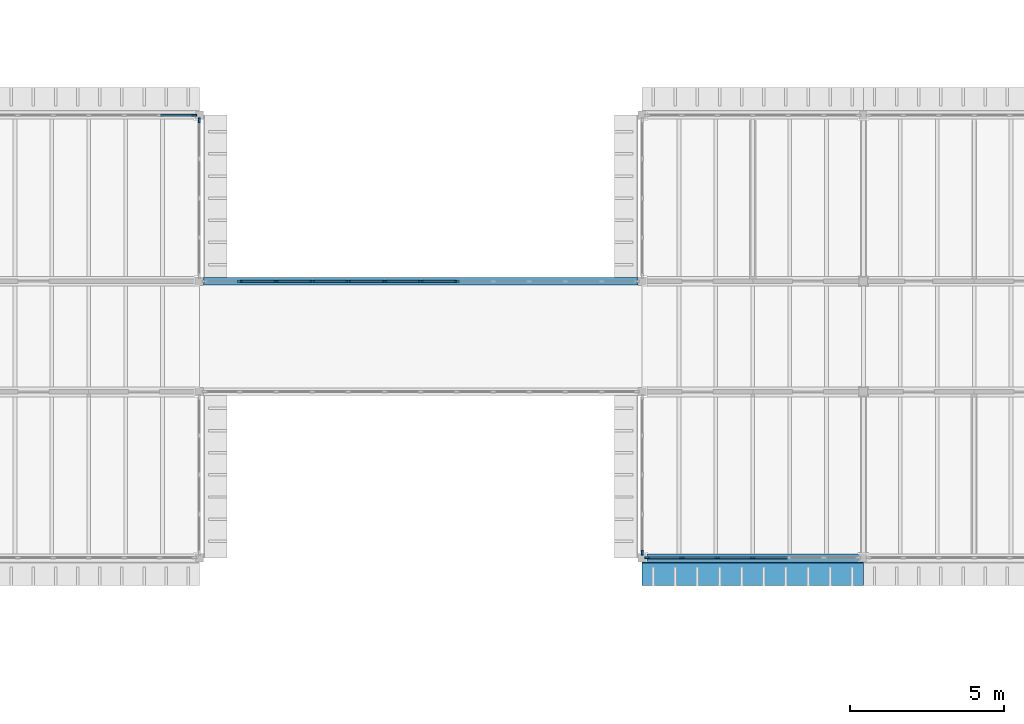
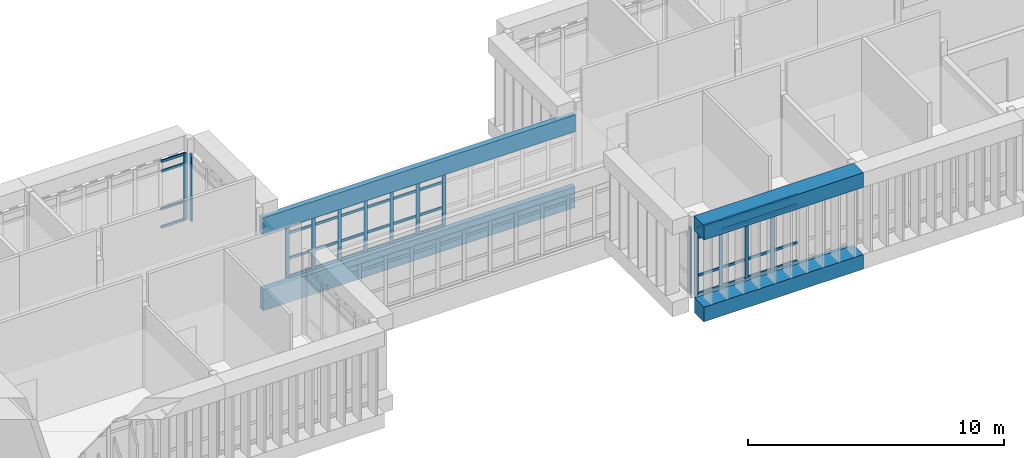
# One storey, part 10 of 51: 60 members, 3 beams, 5 elements without a shape of their own.
"""IFC4 building model written with IfcOpenShell, lengths in metres."""

import ifcopenshell
import ifcopenshell.guid

model = None  # the IFC model being written
_history = None  # IfcOwnerHistory: only IFC2X3 demands one
_inside = {}  # id of a spatial element -> (the spatial element, [elements in it])
_under = {}  # id of a project, library or spatial element -> (it, [spatial elements below it])
_declared = {}  # id of a project -> (the project, [libraries it declares])
_typed = {}  # id of a type object -> (the type object, [elements of that type])
_made_of = {}  # id of a material, layer set ... -> (it, [elements and type objects made of it])


def new_model(schema):
    """Start an empty IFC model of exactly this schema.

    Asked for "IFC4X3", IfcOpenShell would pick the latest addendum, in which some entities
    have other attributes; the version numbers below select the first issue.
    IFC2X3 requires an IfcOwnerHistory on every rooted entity: one is made here for all.
    """
    global model, _history
    if schema == "IFC4X3":
        model = ifcopenshell.file(schema_version=(4, 3, 0, 0))
    else:
        model = ifcopenshell.file(schema=schema)
    _inside.clear()
    _under.clear()
    _declared.clear()
    _typed.clear()
    _made_of.clear()
    _history = None
    if model.schema == "IFC2X3":
        org = make("IfcOrganization", Name="unknown")
        user = make(
            "IfcPersonAndOrganization",
            ThePerson=make("IfcPerson", FamilyName="unknown"),
            TheOrganization=org,
        )
        app = make(
            "IfcApplication",
            ApplicationDeveloper=org,
            Version="unknown",
            ApplicationFullName="unknown",
            ApplicationIdentifier="unknown",
        )
        _history = make(
            "IfcOwnerHistory",
            OwningUser=user,
            OwningApplication=app,
            ChangeAction="ADDED",
            CreationDate=0,
        )
    return model


def make(cls, **values):
    """One entity of the class cls with the attributes given. An attribute that is None is left unset."""
    return model.create_entity(
        cls, **{name: value for name, value in values.items() if value is not None}
    )


def rooted(cls, **values):
    """An entity with a GlobalId (a new one), such as an element, a storey or a relation."""
    return make(cls, GlobalId=ifcopenshell.guid.new(), OwnerHistory=_history, **values)


def si_unit(unit_type, name, prefix=None):
    """IfcSIUnit, for example si_unit("LENGTHUNIT", "METRE", prefix="MILLI")."""
    return make("IfcSIUnit", UnitType=unit_type, Prefix=prefix, Name=name)


def assignment(units):
    """IfcUnitAssignment: the units of a project."""
    return None if units is None else make("IfcUnitAssignment", Units=units)


def point(xyz):
    """IfcCartesianPoint."""
    return None if xyz is None else make("IfcCartesianPoint", Coordinates=xyz)


def direction(xyz):
    """IfcDirection."""
    return None if xyz is None else make("IfcDirection", DirectionRatios=xyz)


def frame(location, z_axis=None, x_axis=None):
    """IfcAxis2Placement3D, a coordinate frame: its origin and axes. An axis left out is left unset."""
    return make(
        "IfcAxis2Placement3D",
        Location=point(location),
        Axis=direction(z_axis),
        RefDirection=direction(x_axis),
    )


def frame_2d(location, x_axis=None):
    """IfcAxis2Placement2D, a coordinate frame in the plane: its origin and x axis."""
    return make(
        "IfcAxis2Placement2D", Location=point(location), RefDirection=direction(x_axis)
    )


def origin():
    """The frame at (0, 0, 0) with its axes left unset."""
    return frame((0.0, 0.0, 0.0))


def origin_2d():
    """The frame at (0, 0) in the plane with its x axis left unset."""
    return frame_2d((0.0, 0.0))


def place(relative_to, where):
    """IfcLocalPlacement: puts the frame where relative to a parent placement (None: the world)."""
    return make(
        "IfcLocalPlacement", PlacementRelTo=relative_to, RelativePlacement=where
    )


def context(
    kind, dimensions, precision=None, world=None, true_north=None, identifier=None
):
    """IfcGeometricRepresentationContext, for example the 3D "Model" context."""
    return make(
        "IfcGeometricRepresentationContext",
        ContextIdentifier=identifier,
        ContextType=kind,
        CoordinateSpaceDimension=dimensions,
        Precision=precision,
        WorldCoordinateSystem=world,
        TrueNorth=true_north,
    )


def subcontext(parent, identifier, kind, view, scale=None):
    """IfcGeometricRepresentationSubContext, for example "Body" below "Model"."""
    return make(
        "IfcGeometricRepresentationSubContext",
        ContextIdentifier=identifier,
        ContextType=kind,
        ParentContext=parent,
        TargetScale=scale,
        TargetView=view,
    )


def project(units=None, contexts=None):
    """IfcProject with its units and contexts."""
    return rooted(
        "IfcProject",
        Name="project",
        RepresentationContexts=contexts,
        UnitsInContext=assignment(units),
    )


def spatial(cls, under=None, at=None, **own):
    """A site, building, storey or space (cls), placed at a placement, below another one or the project."""
    s = rooted(cls, ObjectPlacement=at, **own)
    if under is not None:
        _under.setdefault(under.id(), (under, []))[1].append(s)
    return s


def profile(cls, at=None, kind="AREA", **sizes):
    """A parametric profile (cls). Its sizes go by their IFC names, for example OverallWidth=200.0."""
    return make(cls, ProfileType=kind, Position=at, **sizes)


def rectangle(**sizes):
    """IfcRectangleProfileDef."""
    return profile("IfcRectangleProfileDef", **sizes)


def extrude(swept, where, along, depth):
    """IfcExtrudedAreaSolid: the profile swept, set in the frame where, extruded along a direction by depth."""
    return make(
        "IfcExtrudedAreaSolid",
        SweptArea=swept,
        Position=where,
        ExtrudedDirection=direction(along),
        Depth=depth,
    )


def shape(context_of_items, identifier, shape_type, items):
    """IfcShapeRepresentation: the items that make up one representation, for example the "Body"."""
    return make(
        "IfcShapeRepresentation",
        ContextOfItems=context_of_items,
        RepresentationIdentifier=identifier,
        RepresentationType=shape_type,
        Items=items,
    )


def material(Name=None, Category=None):
    """IfcMaterial."""
    return make("IfcMaterial", Name=Name, Category=Category)


def layer(
    of_material, thickness, ventilated=None, Name=None, Category=None, Priority=None
):
    """IfcMaterialLayer: one layer of a wall or slab, of a material (None: an air gap)."""
    return make(
        "IfcMaterialLayer",
        Material=of_material,
        LayerThickness=thickness,
        IsVentilated=ventilated,
        Name=Name,
        Category=Category,
        Priority=Priority,
    )


def layer_set(layers, Name=None):
    """IfcMaterialLayerSet."""
    return make("IfcMaterialLayerSet", MaterialLayers=layers, LayerSetName=Name)


def material_profile(
    of_material, cross_section, Name=None, Category=None, Priority=None
):
    """IfcMaterialProfile: a cross section and its material."""
    return make(
        "IfcMaterialProfile",
        Name=Name,
        Material=of_material,
        Profile=cross_section,
        Priority=Priority,
        Category=Category,
    )


def profile_set(profiles, Name=None, composite=None):
    """IfcMaterialProfileSet."""
    return make(
        "IfcMaterialProfileSet",
        Name=Name,
        MaterialProfiles=profiles,
        CompositeProfile=composite,
    )


def made_of(thing, what):
    """Note that an element or type object is made of a material, layer set ...; save() writes the relation."""
    if what is not None:
        _made_of.setdefault(what.id(), (what, []))[1].append(thing)
    return thing


def type_object(cls, material=None, **own):
    """A type object (cls), such as IfcWallType, which elements share."""
    return made_of(rooted(cls, **own), material)


def element(
    cls,
    number,
    at=None,
    inside=None,
    cuts=None,
    type_object=None,
    material=None,
    context=None,
    identifier="Body",
    shape_type=None,
    held_by="IfcProductDefinitionShape",
    body=None,
    shapes=None,
    **own,
):
    """One element of the class cls, such as IfcWall. Its Tag is "e" and its number.

    at: its placement. inside: the storey or other place that contains it. cuts: it is an
    opening in that element (IfcRelVoidsElement). A single representation is given by context,
    identifier, shape_type and body (its items); several are given by shapes. held_by: the class
    of the entity that holds the representations. save() writes the other relations.
    """
    e = rooted(cls, Tag="e%d" % number, ObjectPlacement=at, **own)
    if body is not None:
        shapes = [shape(context, identifier, shape_type, body)]
    if shapes is not None:
        e.Representation = make(held_by, Representations=shapes)
    if inside is not None:
        _inside.setdefault(inside.id(), (inside, []))[1].append(e)
    if cuts is not None:
        rooted(
            "IfcRelVoidsElement", RelatingBuildingElement=cuts, RelatedOpeningElement=e
        )
    if type_object is not None:
        _typed.setdefault(type_object.id(), (type_object, []))[1].append(e)
    return made_of(e, material)


def aggregate(whole, parts):
    """IfcRelAggregates: a whole, such as a stair, and the parts it consists of."""
    return rooted("IfcRelAggregates", RelatingObject=whole, RelatedObjects=parts)


def save(model, path):
    """Write the relations noted so far, then the file.

    IfcRelAggregates (storeys below a building ...), IfcRelContainedInSpatialStructure (elements
    in a storey), IfcRelDefinesByType, IfcRelAssociatesMaterial and IfcRelDeclares: one each for
    every whole, place, type object, material and project.
    """
    for whole, parts in _under.values():
        aggregate(whole, parts)
    for where, things in _inside.values():
        rooted(
            "IfcRelContainedInSpatialStructure",
            RelatedElements=things,
            RelatingStructure=where,
        )
    for kind, things in _typed.values():
        rooted("IfcRelDefinesByType", RelatedObjects=things, RelatingType=kind)
    for what, things in _made_of.values():
        rooted("IfcRelAssociatesMaterial", RelatedObjects=things, RelatingMaterial=what)
    for by, libraries in _declared.values():
        rooted("IfcRelDeclares", RelatingContext=by, RelatedDefinitions=libraries)
    model.write(path)


model = new_model("IFC4")

# Units and contexts
model_context = context("Model", 3, precision=1e-05, world=origin(), true_north=direction((0.0, 1.0)))
body_context = subcontext(model_context, "Body", "Model", "MODEL_VIEW")
ifc_project = project(units=[si_unit("LENGTHUNIT", "METRE"), si_unit("AREAUNIT", "SQUARE_METRE"), si_unit("VOLUMEUNIT", "CUBIC_METRE"), si_unit("PLANEANGLEUNIT", "RADIAN"), si_unit("MASSUNIT", "GRAM", prefix="KILO")], contexts=[model_context])

# Site, building, storey
site_placement = place(None, origin())
site = spatial("IfcSite", under=ifc_project, at=site_placement, CompositionType="ELEMENT")
building_placement = place(site_placement, origin())
building = spatial("IfcBuilding", under=site, at=building_placement, Name="Mazhai Court Health Centre", CompositionType="ELEMENT")
storey_placement = place(building_placement, frame((0.0, 0.0, 14.10009765625)))
storey = spatial("IfcBuildingStorey", under=building, at=storey_placement, Name="L03", CompositionType="ELEMENT", Elevation=14.10009765625)

# Curtain wall, members
ifc_material_1 = material(Name="Teak timber frame, glazed", Category="wood")
ifc_layer = layer(ifc_material_1, 0.10009765625)
ifc_layer_set = layer_set([ifc_layer], Name="CURTAIN WALL TIMBER 1200")
curtain_wall_type = type_object("IfcCurtainWallType", Name="CURTAIN WALL TIMBER 1200", PredefinedType="NOTDEFINED", material=ifc_layer_set)
curtain_wall_1_placement = place(storey_placement, origin())
curtain_wall_1 = element("IfcCurtainWall", 1, at=curtain_wall_1_placement, inside=storey, type_object=curtain_wall_type, Name="CW-V4-L03-A5", PredefinedType="NOTDEFINED")
ifc_material_2 = material(Name="Teak timber", Category="wood")
ifc_material_profile_1 = material_profile(ifc_material_2, rectangle(XDim=0.06005859375, YDim=0.159912109375, at=origin_2d()), Name="CW MULLION 60x160")
ifc_profile_set_1 = profile_set([ifc_material_profile_1], Name="Teak timber")
member_type_1 = type_object("IfcMemberType", Name="CW MULLION 60x160", PredefinedType="MULLION", material=ifc_profile_set_1)
member_1_placement = place(storey_placement, frame((110.60009765625, 13.39990234375, 0.0), z_axis=(0.0, 0.0, 1.0), x_axis=(0.0, -1.0, 0.0)))
member_1 = element("IfcMember", 2, at=member_1_placement, type_object=member_type_1, Name="CW mullion 4", PredefinedType="MULLION", context=body_context, shape_type="SweptSolid", body=[
    extrude(rectangle(XDim=0.06005859375, YDim=0.159912109375, at=origin_2d()), origin(), (0.0, 0.0, 1.0), 3.199951171875),
])
member_2_placement = place(storey_placement, frame((109.44677734375, 13.39990234375, 0.0), z_axis=(0.0, 0.0, 1.0), x_axis=(0.0, -1.0, 0.0)))
member_2 = element("IfcMember", 3, at=member_2_placement, type_object=member_type_1, Name="CW mullion 5", PredefinedType="MULLION", context=body_context, shape_type="SweptSolid", body=[
    extrude(rectangle(XDim=0.06005859375, YDim=0.159912109375, at=origin_2d()), origin(), (0.0, 0.0, 1.0), 3.199951171875),
])
member_3_placement = place(storey_placement, frame((108.293212890625, 13.39990234375, 0.0), z_axis=(0.0, 0.0, 1.0), x_axis=(0.0, -1.0, 0.0)))
member_3 = element("IfcMember", 4, at=member_3_placement, type_object=member_type_1, Name="CW mullion 6", PredefinedType="MULLION", context=body_context, shape_type="SweptSolid", body=[
    extrude(rectangle(XDim=0.06005859375, YDim=0.159912109375, at=origin_2d()), origin(), (0.0, 0.0, 1.0), 3.199951171875),
])
member_4_placement = place(storey_placement, frame((107.169921875, 13.39990234375, 0.0), z_axis=(0.0, 0.0, 1.0), x_axis=(0.0, -1.0, 0.0)))
member_4 = element("IfcMember", 5, at=member_4_placement, type_object=member_type_1, Name="CW mullion 7", PredefinedType="MULLION", context=body_context, shape_type="SweptSolid", body=[
    extrude(rectangle(XDim=0.06005859375, YDim=0.159912109375, at=origin_2d()), origin(), (0.0, 0.0, 1.0), 3.199951171875),
])

# Curtain wall, member
curtain_wall_2_placement = place(storey_placement, origin())
curtain_wall_2 = element("IfcCurtainWall", 6, at=curtain_wall_2_placement, inside=storey, type_object=curtain_wall_type, Name="CW-V4-L03-B2", PredefinedType="NOTDEFINED")
member_5_placement = place(storey_placement, frame((92.429931640625, 27.800048828125, 0.0), z_axis=(0.0, 0.0, 1.0), x_axis=(0.0, 1.0, 0.0)))
member_5 = element("IfcMember", 7, at=member_5_placement, type_object=member_type_1, Name="CW mullion 7", PredefinedType="MULLION", context=body_context, shape_type="SweptSolid", body=[
    extrude(rectangle(XDim=0.06005859375, YDim=0.159912109375, at=origin_2d()), origin(), (0.0, 0.0, 1.0), 3.199951171875),
])

curtain_wall_3_placement = place(storey_placement, origin())
curtain_wall_3 = element("IfcCurtainWall", 8, at=curtain_wall_3_placement, inside=storey, type_object=curtain_wall_type, Name="CW-V4-L03-CE2-1", PredefinedType="NOTDEFINED")
member_6_placement = place(storey_placement, frame((92.60009765625, 27.6298828125, 0.0), z_axis=(0.0, 0.0, 1.0), x_axis=(1.0, 0.0, 0.0)))
member_6 = element("IfcMember", 9, at=member_6_placement, type_object=member_type_1, Name="CW mullion 1", PredefinedType="MULLION", context=body_context, shape_type="SweptSolid", body=[
    extrude(rectangle(XDim=0.06005859375, YDim=0.159912109375, at=origin_2d()), origin(), (0.0, 0.0, 1.0), 3.199951171875),
])
aggregate(curtain_wall_3, [member_6])

curtain_wall_4_placement = place(storey_placement, origin())
curtain_wall_4 = element("IfcCurtainWall", 10, at=curtain_wall_4_placement, inside=storey, type_object=curtain_wall_type, Name="CW-V4-L03-CW5-0", PredefinedType="NOTDEFINED")
member_7_placement = place(storey_placement, frame((107.0, 13.570068359375, 0.0), z_axis=(0.0, 0.0, 1.0), x_axis=(-1.0, 0.0, 0.0)))
member_7 = element("IfcMember", 11, at=member_7_placement, type_object=member_type_1, Name="CW mullion 1", PredefinedType="MULLION", context=body_context, shape_type="SweptSolid", body=[
    extrude(rectangle(XDim=0.06005859375, YDim=0.159912109375, at=origin_2d()), origin(), (0.0, 0.0, 1.0), 3.199951171875),
])
aggregate(curtain_wall_4, [member_7])

# Curtain wall, members
curtain_wall_5_placement = place(storey_placement, origin())
curtain_wall_5 = element("IfcCurtainWall", 12, at=curtain_wall_5_placement, inside=storey, type_object=curtain_wall_type, Name="CW-BR-LC3-N", PredefinedType="NOTDEFINED")
member_8_placement = place(storey_placement, frame((93.916748046875, 22.39990234375, 0.0), z_axis=(0.0, 0.0, 1.0), x_axis=(0.0, 1.0, 0.0)))
member_8 = element("IfcMember", 13, at=member_8_placement, type_object=member_type_1, Name="CW mullion 2", PredefinedType="MULLION", context=body_context, shape_type="SweptSolid", body=[
    extrude(rectangle(XDim=0.06005859375, YDim=0.159912109375, at=origin_2d()), origin(), (0.0, 0.0, 1.0), 2.5048828125),
])
member_9_placement = place(storey_placement, frame((95.09326171875, 22.39990234375, 0.0), z_axis=(0.0, 0.0, 1.0), x_axis=(0.0, 1.0, 0.0)))
member_9 = element("IfcMember", 14, at=member_9_placement, type_object=member_type_1, Name="CW mullion 3", PredefinedType="MULLION", context=body_context, shape_type="SweptSolid", body=[
    extrude(rectangle(XDim=0.06005859375, YDim=0.159912109375, at=origin_2d()), origin(), (0.0, 0.0, 1.0), 2.5048828125),
])
member_10_placement = place(storey_placement, frame((96.27001953125, 22.39990234375, 0.0), z_axis=(0.0, 0.0, 1.0), x_axis=(0.0, 1.0, 0.0)))
member_10 = element("IfcMember", 15, at=member_10_placement, type_object=member_type_1, Name="CW mullion 4", PredefinedType="MULLION", context=body_context, shape_type="SweptSolid", body=[
    extrude(rectangle(XDim=0.06005859375, YDim=0.159912109375, at=origin_2d()), origin(), (0.0, 0.0, 1.0), 2.5048828125),
])
member_11_placement = place(storey_placement, frame((97.44677734375, 22.39990234375, 0.0), z_axis=(0.0, 0.0, 1.0), x_axis=(0.0, 1.0, 0.0)))
member_11 = element("IfcMember", 16, at=member_11_placement, type_object=member_type_1, Name="CW mullion 5", PredefinedType="MULLION", context=body_context, shape_type="SweptSolid", body=[
    extrude(rectangle(XDim=0.06005859375, YDim=0.159912109375, at=origin_2d()), origin(), (0.0, 0.0, 1.0), 2.5048828125),
])
member_12_placement = place(storey_placement, frame((98.623291015625, 22.39990234375, 0.0), z_axis=(0.0, 0.0, 1.0), x_axis=(0.0, 1.0, 0.0)))
member_12 = element("IfcMember", 17, at=member_12_placement, type_object=member_type_1, Name="CW mullion 6", PredefinedType="MULLION", context=body_context, shape_type="SweptSolid", body=[
    extrude(rectangle(XDim=0.06005859375, YDim=0.159912109375, at=origin_2d()), origin(), (0.0, 0.0, 1.0), 2.5048828125),
])
member_13_placement = place(storey_placement, frame((99.800048828125, 22.39990234375, 0.0), z_axis=(0.0, 0.0, 1.0), x_axis=(0.0, 1.0, 0.0)))
member_13 = element("IfcMember", 18, at=member_13_placement, type_object=member_type_1, Name="CW mullion 7", PredefinedType="MULLION", context=body_context, shape_type="SweptSolid", body=[
    extrude(rectangle(XDim=0.06005859375, YDim=0.159912109375, at=origin_2d()), origin(), (0.0, 0.0, 1.0), 2.5048828125),
])
member_14_placement = place(storey_placement, frame((100.9765625, 22.39990234375, 0.0), z_axis=(0.0, 0.0, 1.0), x_axis=(0.0, 1.0, 0.0)))
member_14 = element("IfcMember", 19, at=member_14_placement, type_object=member_type_1, Name="CW mullion 8", PredefinedType="MULLION", context=body_context, shape_type="SweptSolid", body=[
    extrude(rectangle(XDim=0.06005859375, YDim=0.159912109375, at=origin_2d()), origin(), (0.0, 0.0, 1.0), 2.5048828125),
])

# Member
ifc_material_3 = material(Name="Teak timber", Category="wood")
ifc_material_profile_2 = material_profile(ifc_material_3, rectangle(XDim=0.06005859375, YDim=0.1201171875, at=origin_2d()), Name="CW TRANSOM 60x120")
ifc_profile_set_2 = profile_set([ifc_material_profile_2], Name="Teak timber")
member_type_2 = type_object("IfcMemberType", Name="CW TRANSOM 60x120", PredefinedType="USERDEFINED", material=ifc_profile_set_2)
member_15_placement = place(storey_placement, frame((111.723388671875, 13.39990234375, 0.02978515625), z_axis=(-1.0, 0.0, 0.0), x_axis=(0.0, -1.0, 0.0)))
member_15 = element("IfcMember", 20, at=member_15_placement, type_object=member_type_2, Name="CW transom 3.1", ObjectType="TRANSOM", PredefinedType="USERDEFINED", context=body_context, shape_type="SweptSolid", body=[
    extrude(rectangle(XDim=0.06005859375, YDim=0.1201171875, at=origin_2d()), origin(), (0.0, 0.0, 1.0), 1.093505859375),
])

member_16_placement = place(storey_placement, frame((111.723388671875, 13.39990234375, 0.89990234375), z_axis=(-1.0, 0.0, 0.0), x_axis=(0.0, -1.0, 0.0)))
member_16 = element("IfcMember", 21, at=member_16_placement, type_object=member_type_2, Name="CW transom 3.2", ObjectType="TRANSOM", PredefinedType="USERDEFINED", context=body_context, shape_type="SweptSolid", body=[
    extrude(rectangle(XDim=0.06005859375, YDim=0.1201171875, at=origin_2d()), origin(), (0.0, 0.0, 1.0), 1.093505859375),
])

member_17_placement = place(storey_placement, frame((111.723388671875, 13.39990234375, 2.699951171875), z_axis=(-1.0, 0.0, 0.0), x_axis=(0.0, -1.0, 0.0)))
member_17 = element("IfcMember", 22, at=member_17_placement, type_object=member_type_2, Name="CW transom 3.3", ObjectType="TRANSOM", PredefinedType="USERDEFINED", context=body_context, shape_type="SweptSolid", body=[
    extrude(rectangle(XDim=0.06005859375, YDim=0.1201171875, at=origin_2d()), origin(), (0.0, 0.0, 1.0), 1.093505859375),
])

member_18_placement = place(storey_placement, frame((111.723388671875, 13.39990234375, 3.169921875), z_axis=(-1.0, 0.0, 0.0), x_axis=(0.0, -1.0, 0.0)))
member_18 = element("IfcMember", 23, at=member_18_placement, type_object=member_type_2, Name="CW transom 3.4", ObjectType="TRANSOM", PredefinedType="USERDEFINED", context=body_context, shape_type="SweptSolid", body=[
    extrude(rectangle(XDim=0.06005859375, YDim=0.1201171875, at=origin_2d()), origin(), (0.0, 0.0, 1.0), 1.093505859375),
])

member_19_placement = place(storey_placement, frame((110.570068359375, 13.39990234375, 0.02978515625), z_axis=(-1.0, 0.0, 0.0), x_axis=(0.0, -1.0, 0.0)))
member_19 = element("IfcMember", 24, at=member_19_placement, type_object=member_type_2, Name="CW transom 4.1", ObjectType="TRANSOM", PredefinedType="USERDEFINED", context=body_context, shape_type="SweptSolid", body=[
    extrude(rectangle(XDim=0.06005859375, YDim=0.1201171875, at=origin_2d()), origin(), (0.0, 0.0, 1.0), 1.093505859375),
])

member_20_placement = place(storey_placement, frame((110.570068359375, 13.39990234375, 0.89990234375), z_axis=(-1.0, 0.0, 0.0), x_axis=(0.0, -1.0, 0.0)))
member_20 = element("IfcMember", 25, at=member_20_placement, type_object=member_type_2, Name="CW transom 4.2", ObjectType="TRANSOM", PredefinedType="USERDEFINED", context=body_context, shape_type="SweptSolid", body=[
    extrude(rectangle(XDim=0.06005859375, YDim=0.1201171875, at=origin_2d()), origin(), (0.0, 0.0, 1.0), 1.093505859375),
])

member_21_placement = place(storey_placement, frame((110.570068359375, 13.39990234375, 2.699951171875), z_axis=(-1.0, 0.0, 0.0), x_axis=(0.0, -1.0, 0.0)))
member_21 = element("IfcMember", 26, at=member_21_placement, type_object=member_type_2, Name="CW transom 4.3", ObjectType="TRANSOM", PredefinedType="USERDEFINED", context=body_context, shape_type="SweptSolid", body=[
    extrude(rectangle(XDim=0.06005859375, YDim=0.1201171875, at=origin_2d()), origin(), (0.0, 0.0, 1.0), 1.093505859375),
])

member_22_placement = place(storey_placement, frame((110.570068359375, 13.39990234375, 3.169921875), z_axis=(-1.0, 0.0, 0.0), x_axis=(0.0, -1.0, 0.0)))
member_22 = element("IfcMember", 27, at=member_22_placement, type_object=member_type_2, Name="CW transom 4.4", ObjectType="TRANSOM", PredefinedType="USERDEFINED", context=body_context, shape_type="SweptSolid", body=[
    extrude(rectangle(XDim=0.06005859375, YDim=0.1201171875, at=origin_2d()), origin(), (0.0, 0.0, 1.0), 1.093505859375),
])

member_23_placement = place(storey_placement, frame((109.416748046875, 13.39990234375, 0.02978515625), z_axis=(-1.0, 0.0, 0.0), x_axis=(0.0, -1.0, 0.0)))
member_23 = element("IfcMember", 28, at=member_23_placement, type_object=member_type_2, Name="CW transom 5.1", ObjectType="TRANSOM", PredefinedType="USERDEFINED", context=body_context, shape_type="SweptSolid", body=[
    extrude(rectangle(XDim=0.06005859375, YDim=0.1201171875, at=origin_2d()), origin(), (0.0, 0.0, 1.0), 1.093505859375),
])

member_24_placement = place(storey_placement, frame((109.416748046875, 13.39990234375, 0.89990234375), z_axis=(-1.0, 0.0, 0.0), x_axis=(0.0, -1.0, 0.0)))
member_24 = element("IfcMember", 29, at=member_24_placement, type_object=member_type_2, Name="CW transom 5.2", ObjectType="TRANSOM", PredefinedType="USERDEFINED", context=body_context, shape_type="SweptSolid", body=[
    extrude(rectangle(XDim=0.06005859375, YDim=0.1201171875, at=origin_2d()), origin(), (0.0, 0.0, 1.0), 1.093505859375),
])

member_25_placement = place(storey_placement, frame((109.416748046875, 13.39990234375, 2.699951171875), z_axis=(-1.0, 0.0, 0.0), x_axis=(0.0, -1.0, 0.0)))
member_25 = element("IfcMember", 30, at=member_25_placement, type_object=member_type_2, Name="CW transom 5.3", ObjectType="TRANSOM", PredefinedType="USERDEFINED", context=body_context, shape_type="SweptSolid", body=[
    extrude(rectangle(XDim=0.06005859375, YDim=0.1201171875, at=origin_2d()), origin(), (0.0, 0.0, 1.0), 1.093505859375),
])

member_26_placement = place(storey_placement, frame((109.416748046875, 13.39990234375, 3.169921875), z_axis=(-1.0, 0.0, 0.0), x_axis=(0.0, -1.0, 0.0)))
member_26 = element("IfcMember", 31, at=member_26_placement, type_object=member_type_2, Name="CW transom 5.4", ObjectType="TRANSOM", PredefinedType="USERDEFINED", context=body_context, shape_type="SweptSolid", body=[
    extrude(rectangle(XDim=0.06005859375, YDim=0.1201171875, at=origin_2d()), origin(), (0.0, 0.0, 1.0), 1.093505859375),
])

member_27_placement = place(storey_placement, frame((108.263427734375, 13.39990234375, 0.02978515625), z_axis=(-1.0, 0.0, 0.0), x_axis=(0.0, -1.0, 0.0)))
member_27 = element("IfcMember", 32, at=member_27_placement, type_object=member_type_2, Name="CW transom 6.1", ObjectType="TRANSOM", PredefinedType="USERDEFINED", context=body_context, shape_type="SweptSolid", body=[
    extrude(rectangle(XDim=0.06005859375, YDim=0.1201171875, at=origin_2d()), origin(), (0.0, 0.0, 1.0), 1.0634765625),
])

member_28_placement = place(storey_placement, frame((108.263427734375, 13.39990234375, 0.89990234375), z_axis=(-1.0, 0.0, 0.0), x_axis=(0.0, -1.0, 0.0)))
member_28 = element("IfcMember", 33, at=member_28_placement, type_object=member_type_2, Name="CW transom 6.2", ObjectType="TRANSOM", PredefinedType="USERDEFINED", context=body_context, shape_type="SweptSolid", body=[
    extrude(rectangle(XDim=0.06005859375, YDim=0.1201171875, at=origin_2d()), origin(), (0.0, 0.0, 1.0), 1.0634765625),
])

member_29_placement = place(storey_placement, frame((108.263427734375, 13.39990234375, 2.699951171875), z_axis=(-1.0, 0.0, 0.0), x_axis=(0.0, -1.0, 0.0)))
member_29 = element("IfcMember", 34, at=member_29_placement, type_object=member_type_2, Name="CW transom 6.3", ObjectType="TRANSOM", PredefinedType="USERDEFINED", context=body_context, shape_type="SweptSolid", body=[
    extrude(rectangle(XDim=0.06005859375, YDim=0.1201171875, at=origin_2d()), origin(), (0.0, 0.0, 1.0), 1.0634765625),
])

member_30_placement = place(storey_placement, frame((108.263427734375, 13.39990234375, 3.169921875), z_axis=(-1.0, 0.0, 0.0), x_axis=(0.0, -1.0, 0.0)))
member_30 = element("IfcMember", 35, at=member_30_placement, type_object=member_type_2, Name="CW transom 6.4", ObjectType="TRANSOM", PredefinedType="USERDEFINED", context=body_context, shape_type="SweptSolid", body=[
    extrude(rectangle(XDim=0.06005859375, YDim=0.1201171875, at=origin_2d()), origin(), (0.0, 0.0, 1.0), 1.0634765625),
])

aggregate(curtain_wall_1, [member_1, member_2, member_3, member_4, member_15, member_16, member_17, member_18, member_19, member_20, member_21, member_22, member_23, member_24, member_25, member_26, member_27, member_28, member_29, member_30])

member_31_placement = place(storey_placement, frame((91.336669921875, 27.800048828125, 0.02978515625), z_axis=(1.0, 0.0, 0.0), x_axis=(0.0, 1.0, 0.0)))
member_31 = element("IfcMember", 36, at=member_31_placement, type_object=member_type_2, Name="CW transom 6.1", ObjectType="TRANSOM", PredefinedType="USERDEFINED", context=body_context, shape_type="SweptSolid", body=[
    extrude(rectangle(XDim=0.06005859375, YDim=0.1201171875, at=origin_2d()), origin(), (0.0, 0.0, 1.0), 1.063232421875),
])

member_32_placement = place(storey_placement, frame((91.336669921875, 27.800048828125, 0.89990234375), z_axis=(1.0, 0.0, 0.0), x_axis=(0.0, 1.0, 0.0)))
member_32 = element("IfcMember", 37, at=member_32_placement, type_object=member_type_2, Name="CW transom 6.2", ObjectType="TRANSOM", PredefinedType="USERDEFINED", context=body_context, shape_type="SweptSolid", body=[
    extrude(rectangle(XDim=0.06005859375, YDim=0.1201171875, at=origin_2d()), origin(), (0.0, 0.0, 1.0), 1.063232421875),
])

member_33_placement = place(storey_placement, frame((91.336669921875, 27.800048828125, 2.699951171875), z_axis=(1.0, 0.0, 0.0), x_axis=(0.0, 1.0, 0.0)))
member_33 = element("IfcMember", 38, at=member_33_placement, type_object=member_type_2, Name="CW transom 6.3", ObjectType="TRANSOM", PredefinedType="USERDEFINED", context=body_context, shape_type="SweptSolid", body=[
    extrude(rectangle(XDim=0.06005859375, YDim=0.1201171875, at=origin_2d()), origin(), (0.0, 0.0, 1.0), 1.063232421875),
])

member_34_placement = place(storey_placement, frame((91.336669921875, 27.800048828125, 3.169921875), z_axis=(1.0, 0.0, 0.0), x_axis=(0.0, 1.0, 0.0)))
member_34 = element("IfcMember", 39, at=member_34_placement, type_object=member_type_2, Name="CW transom 6.4", ObjectType="TRANSOM", PredefinedType="USERDEFINED", context=body_context, shape_type="SweptSolid", body=[
    extrude(rectangle(XDim=0.06005859375, YDim=0.1201171875, at=origin_2d()), origin(), (0.0, 0.0, 1.0), 1.063232421875),
])

aggregate(curtain_wall_2, [member_5, member_31, member_32, member_33, member_34])

member_35_placement = place(storey_placement, frame((93.94677734375, 22.39990234375, 0.02978515625), z_axis=(1.0, 0.0, 0.0), x_axis=(0.0, 1.0, 0.0)))
member_35 = element("IfcMember", 40, at=member_35_placement, type_object=member_type_2, Name="CW transom 2.1", ObjectType="TRANSOM", PredefinedType="USERDEFINED", context=body_context, shape_type="SweptSolid", body=[
    extrude(rectangle(XDim=0.06005859375, YDim=0.1201171875, at=origin_2d()), origin(), (0.0, 0.0, 1.0), 1.116455078125),
])

member_36_placement = place(storey_placement, frame((93.94677734375, 22.39990234375, 0.89990234375), z_axis=(1.0, 0.0, 0.0), x_axis=(0.0, 1.0, 0.0)))
member_36 = element("IfcMember", 41, at=member_36_placement, type_object=member_type_2, Name="CW transom 2.2", ObjectType="TRANSOM", PredefinedType="USERDEFINED", context=body_context, shape_type="SweptSolid", body=[
    extrude(rectangle(XDim=0.06005859375, YDim=0.1201171875, at=origin_2d()), origin(), (0.0, 0.0, 1.0), 1.116455078125),
])

member_37_placement = place(storey_placement, frame((93.94677734375, 22.39990234375, 2.10498046875), z_axis=(1.0, 0.0, 0.0), x_axis=(0.0, 1.0, 0.0)))
member_37 = element("IfcMember", 42, at=member_37_placement, type_object=member_type_2, Name="CW transom 2.3", ObjectType="TRANSOM", PredefinedType="USERDEFINED", context=body_context, shape_type="SweptSolid", body=[
    extrude(rectangle(XDim=0.06005859375, YDim=0.1201171875, at=origin_2d()), origin(), (0.0, 0.0, 1.0), 1.116455078125),
])

member_38_placement = place(storey_placement, frame((93.94677734375, 22.39990234375, 2.474853515625), z_axis=(1.0, 0.0, 0.0), x_axis=(0.0, 1.0, 0.0)))
member_38 = element("IfcMember", 43, at=member_38_placement, type_object=member_type_2, Name="CW transom 2.4", ObjectType="TRANSOM", PredefinedType="USERDEFINED", context=body_context, shape_type="SweptSolid", body=[
    extrude(rectangle(XDim=0.06005859375, YDim=0.1201171875, at=origin_2d()), origin(), (0.0, 0.0, 1.0), 1.116455078125),
])

member_39_placement = place(storey_placement, frame((95.123291015625, 22.39990234375, 0.02978515625), z_axis=(1.0, 0.0, 0.0), x_axis=(0.0, 1.0, 0.0)))
member_39 = element("IfcMember", 44, at=member_39_placement, type_object=member_type_2, Name="CW transom 3.1", ObjectType="TRANSOM", PredefinedType="USERDEFINED", context=body_context, shape_type="SweptSolid", body=[
    extrude(rectangle(XDim=0.06005859375, YDim=0.1201171875, at=origin_2d()), origin(), (0.0, 0.0, 1.0), 1.11669921875),
])

member_40_placement = place(storey_placement, frame((95.123291015625, 22.39990234375, 0.89990234375), z_axis=(1.0, 0.0, 0.0), x_axis=(0.0, 1.0, 0.0)))
member_40 = element("IfcMember", 45, at=member_40_placement, type_object=member_type_2, Name="CW transom 3.2", ObjectType="TRANSOM", PredefinedType="USERDEFINED", context=body_context, shape_type="SweptSolid", body=[
    extrude(rectangle(XDim=0.06005859375, YDim=0.1201171875, at=origin_2d()), origin(), (0.0, 0.0, 1.0), 1.11669921875),
])

member_41_placement = place(storey_placement, frame((95.123291015625, 22.39990234375, 2.10498046875), z_axis=(1.0, 0.0, 0.0), x_axis=(0.0, 1.0, 0.0)))
member_41 = element("IfcMember", 46, at=member_41_placement, type_object=member_type_2, Name="CW transom 3.3", ObjectType="TRANSOM", PredefinedType="USERDEFINED", context=body_context, shape_type="SweptSolid", body=[
    extrude(rectangle(XDim=0.06005859375, YDim=0.1201171875, at=origin_2d()), origin(), (0.0, 0.0, 1.0), 1.11669921875),
])

member_42_placement = place(storey_placement, frame((95.123291015625, 22.39990234375, 2.474853515625), z_axis=(1.0, 0.0, 0.0), x_axis=(0.0, 1.0, 0.0)))
member_42 = element("IfcMember", 47, at=member_42_placement, type_object=member_type_2, Name="CW transom 3.4", ObjectType="TRANSOM", PredefinedType="USERDEFINED", context=body_context, shape_type="SweptSolid", body=[
    extrude(rectangle(XDim=0.06005859375, YDim=0.1201171875, at=origin_2d()), origin(), (0.0, 0.0, 1.0), 1.11669921875),
])

member_43_placement = place(storey_placement, frame((96.300048828125, 22.39990234375, 0.02978515625), z_axis=(1.0, 0.0, 0.0), x_axis=(0.0, 1.0, 0.0)))
member_43 = element("IfcMember", 48, at=member_43_placement, type_object=member_type_2, Name="CW transom 4.1", ObjectType="TRANSOM", PredefinedType="USERDEFINED", context=body_context, shape_type="SweptSolid", body=[
    extrude(rectangle(XDim=0.06005859375, YDim=0.1201171875, at=origin_2d()), origin(), (0.0, 0.0, 1.0), 1.11669921875),
])

member_44_placement = place(storey_placement, frame((96.300048828125, 22.39990234375, 0.89990234375), z_axis=(1.0, 0.0, 0.0), x_axis=(0.0, 1.0, 0.0)))
member_44 = element("IfcMember", 49, at=member_44_placement, type_object=member_type_2, Name="CW transom 4.2", ObjectType="TRANSOM", PredefinedType="USERDEFINED", context=body_context, shape_type="SweptSolid", body=[
    extrude(rectangle(XDim=0.06005859375, YDim=0.1201171875, at=origin_2d()), origin(), (0.0, 0.0, 1.0), 1.11669921875),
])

member_45_placement = place(storey_placement, frame((96.300048828125, 22.39990234375, 2.10498046875), z_axis=(1.0, 0.0, 0.0), x_axis=(0.0, 1.0, 0.0)))
member_45 = element("IfcMember", 50, at=member_45_placement, type_object=member_type_2, Name="CW transom 4.3", ObjectType="TRANSOM", PredefinedType="USERDEFINED", context=body_context, shape_type="SweptSolid", body=[
    extrude(rectangle(XDim=0.06005859375, YDim=0.1201171875, at=origin_2d()), origin(), (0.0, 0.0, 1.0), 1.11669921875),
])

member_46_placement = place(storey_placement, frame((96.300048828125, 22.39990234375, 2.474853515625), z_axis=(1.0, 0.0, 0.0), x_axis=(0.0, 1.0, 0.0)))
member_46 = element("IfcMember", 51, at=member_46_placement, type_object=member_type_2, Name="CW transom 4.4", ObjectType="TRANSOM", PredefinedType="USERDEFINED", context=body_context, shape_type="SweptSolid", body=[
    extrude(rectangle(XDim=0.06005859375, YDim=0.1201171875, at=origin_2d()), origin(), (0.0, 0.0, 1.0), 1.11669921875),
])

member_47_placement = place(storey_placement, frame((97.4765625, 22.39990234375, 0.02978515625), z_axis=(1.0, 0.0, 0.0), x_axis=(0.0, 1.0, 0.0)))
member_47 = element("IfcMember", 52, at=member_47_placement, type_object=member_type_2, Name="CW transom 5.1", ObjectType="TRANSOM", PredefinedType="USERDEFINED", context=body_context, shape_type="SweptSolid", body=[
    extrude(rectangle(XDim=0.06005859375, YDim=0.1201171875, at=origin_2d()), origin(), (0.0, 0.0, 1.0), 1.11669921875),
])

member_48_placement = place(storey_placement, frame((97.4765625, 22.39990234375, 0.89990234375), z_axis=(1.0, 0.0, 0.0), x_axis=(0.0, 1.0, 0.0)))
member_48 = element("IfcMember", 53, at=member_48_placement, type_object=member_type_2, Name="CW transom 5.2", ObjectType="TRANSOM", PredefinedType="USERDEFINED", context=body_context, shape_type="SweptSolid", body=[
    extrude(rectangle(XDim=0.06005859375, YDim=0.1201171875, at=origin_2d()), origin(), (0.0, 0.0, 1.0), 1.11669921875),
])

member_49_placement = place(storey_placement, frame((97.4765625, 22.39990234375, 2.10498046875), z_axis=(1.0, 0.0, 0.0), x_axis=(0.0, 1.0, 0.0)))
member_49 = element("IfcMember", 54, at=member_49_placement, type_object=member_type_2, Name="CW transom 5.3", ObjectType="TRANSOM", PredefinedType="USERDEFINED", context=body_context, shape_type="SweptSolid", body=[
    extrude(rectangle(XDim=0.06005859375, YDim=0.1201171875, at=origin_2d()), origin(), (0.0, 0.0, 1.0), 1.11669921875),
])

member_50_placement = place(storey_placement, frame((97.4765625, 22.39990234375, 2.474853515625), z_axis=(1.0, 0.0, 0.0), x_axis=(0.0, 1.0, 0.0)))
member_50 = element("IfcMember", 55, at=member_50_placement, type_object=member_type_2, Name="CW transom 5.4", ObjectType="TRANSOM", PredefinedType="USERDEFINED", context=body_context, shape_type="SweptSolid", body=[
    extrude(rectangle(XDim=0.06005859375, YDim=0.1201171875, at=origin_2d()), origin(), (0.0, 0.0, 1.0), 1.11669921875),
])

member_51_placement = place(storey_placement, frame((98.6533203125, 22.39990234375, 0.02978515625), z_axis=(1.0, 0.0, 0.0), x_axis=(0.0, 1.0, 0.0)))
member_51 = element("IfcMember", 56, at=member_51_placement, type_object=member_type_2, Name="CW transom 6.1", ObjectType="TRANSOM", PredefinedType="USERDEFINED", context=body_context, shape_type="SweptSolid", body=[
    extrude(rectangle(XDim=0.06005859375, YDim=0.1201171875, at=origin_2d()), origin(), (0.0, 0.0, 1.0), 1.11669921875),
])

member_52_placement = place(storey_placement, frame((98.6533203125, 22.39990234375, 0.89990234375), z_axis=(1.0, 0.0, 0.0), x_axis=(0.0, 1.0, 0.0)))
member_52 = element("IfcMember", 57, at=member_52_placement, type_object=member_type_2, Name="CW transom 6.2", ObjectType="TRANSOM", PredefinedType="USERDEFINED", context=body_context, shape_type="SweptSolid", body=[
    extrude(rectangle(XDim=0.06005859375, YDim=0.1201171875, at=origin_2d()), origin(), (0.0, 0.0, 1.0), 1.11669921875),
])

member_53_placement = place(storey_placement, frame((98.6533203125, 22.39990234375, 2.10498046875), z_axis=(1.0, 0.0, 0.0), x_axis=(0.0, 1.0, 0.0)))
member_53 = element("IfcMember", 58, at=member_53_placement, type_object=member_type_2, Name="CW transom 6.3", ObjectType="TRANSOM", PredefinedType="USERDEFINED", context=body_context, shape_type="SweptSolid", body=[
    extrude(rectangle(XDim=0.06005859375, YDim=0.1201171875, at=origin_2d()), origin(), (0.0, 0.0, 1.0), 1.11669921875),
])

member_54_placement = place(storey_placement, frame((98.6533203125, 22.39990234375, 2.474853515625), z_axis=(1.0, 0.0, 0.0), x_axis=(0.0, 1.0, 0.0)))
member_54 = element("IfcMember", 59, at=member_54_placement, type_object=member_type_2, Name="CW transom 6.4", ObjectType="TRANSOM", PredefinedType="USERDEFINED", context=body_context, shape_type="SweptSolid", body=[
    extrude(rectangle(XDim=0.06005859375, YDim=0.1201171875, at=origin_2d()), origin(), (0.0, 0.0, 1.0), 1.11669921875),
])

member_55_placement = place(storey_placement, frame((99.830078125, 22.39990234375, 0.02978515625), z_axis=(1.0, 0.0, 0.0), x_axis=(0.0, 1.0, 0.0)))
member_55 = element("IfcMember", 60, at=member_55_placement, type_object=member_type_2, Name="CW transom 7.1", ObjectType="TRANSOM", PredefinedType="USERDEFINED", context=body_context, shape_type="SweptSolid", body=[
    extrude(rectangle(XDim=0.06005859375, YDim=0.1201171875, at=origin_2d()), origin(), (0.0, 0.0, 1.0), 1.11669921875),
])

member_56_placement = place(storey_placement, frame((99.830078125, 22.39990234375, 0.89990234375), z_axis=(1.0, 0.0, 0.0), x_axis=(0.0, 1.0, 0.0)))
member_56 = element("IfcMember", 61, at=member_56_placement, type_object=member_type_2, Name="CW transom 7.2", ObjectType="TRANSOM", PredefinedType="USERDEFINED", context=body_context, shape_type="SweptSolid", body=[
    extrude(rectangle(XDim=0.06005859375, YDim=0.1201171875, at=origin_2d()), origin(), (0.0, 0.0, 1.0), 1.11669921875),
])

member_57_placement = place(storey_placement, frame((99.830078125, 22.39990234375, 2.10498046875), z_axis=(1.0, 0.0, 0.0), x_axis=(0.0, 1.0, 0.0)))
member_57 = element("IfcMember", 62, at=member_57_placement, type_object=member_type_2, Name="CW transom 7.3", ObjectType="TRANSOM", PredefinedType="USERDEFINED", context=body_context, shape_type="SweptSolid", body=[
    extrude(rectangle(XDim=0.06005859375, YDim=0.1201171875, at=origin_2d()), origin(), (0.0, 0.0, 1.0), 1.11669921875),
])

member_58_placement = place(storey_placement, frame((99.830078125, 22.39990234375, 2.474853515625), z_axis=(1.0, 0.0, 0.0), x_axis=(0.0, 1.0, 0.0)))
member_58 = element("IfcMember", 63, at=member_58_placement, type_object=member_type_2, Name="CW transom 7.4", ObjectType="TRANSOM", PredefinedType="USERDEFINED", context=body_context, shape_type="SweptSolid", body=[
    extrude(rectangle(XDim=0.06005859375, YDim=0.1201171875, at=origin_2d()), origin(), (0.0, 0.0, 1.0), 1.11669921875),
])

aggregate(curtain_wall_5, [member_8, member_9, member_10, member_11, member_12, member_13, member_14, member_35, member_36, member_37, member_38, member_39, member_40, member_41, member_42, member_43, member_44, member_45, member_46, member_47, member_48, member_49, member_50, member_51, member_52, member_53, member_54, member_55, member_56, member_57, member_58])

# Members
ifc_material_4 = material(Name="Glulam GL24h", Category="wood")
ifc_material_profile_3 = material_profile(ifc_material_4, rectangle(XDim=0.739990234375, YDim=0.699951171875, at=origin_2d()), Name="FIN RAIL 740x700")
ifc_profile_set_3 = profile_set([ifc_material_profile_3], Name="Glulam GL24h")
member_type_3 = type_object("IfcMemberType", Name="FIN RAIL 740x700", PredefinedType="USERDEFINED", material=ifc_profile_set_3)
member_59_placement = place(storey_placement, frame((114.199951171875, 12.8701171875, -0.35009765625), z_axis=(-1.0, 0.0, 0.0), x_axis=(0.0, -1.0, 0.0)))
element("IfcMember", 64, at=member_59_placement, inside=storey, type_object=member_type_3, Name="FR-V4-A3-L03", ObjectType="FIN RAIL", PredefinedType="USERDEFINED", context=body_context, shape_type="SweptSolid", body=[
    extrude(rectangle(XDim=0.739990234375, YDim=0.699951171875, at=origin_2d()), origin(), (0.0, 0.0, 1.0), 7.199951171875),
])
ifc_material_5 = material(Name="Glulam GL24h", Category="wood")
ifc_material_profile_4 = material_profile(ifc_material_5, rectangle(XDim=0.760009765625, YDim=0.699951171875, at=origin_2d()), Name="FIN RAIL 760x700")
ifc_profile_set_4 = profile_set([ifc_material_profile_4], Name="Glulam GL24h")
member_type_4 = type_object("IfcMemberType", Name="FIN RAIL 760x700", PredefinedType="USERDEFINED", material=ifc_profile_set_4)
member_60_placement = place(storey_placement, frame((114.199951171875, 12.8798828125, 3.5498046875), z_axis=(-1.0, 0.0, 0.0), x_axis=(0.0, -1.0, 0.0)))
element("IfcMember", 65, at=member_60_placement, inside=storey, type_object=member_type_4, Name="FR-V4-A3-RF", ObjectType="FIN RAIL", PredefinedType="USERDEFINED", context=body_context, shape_type="SweptSolid", body=[
    extrude(rectangle(XDim=0.760009765625, YDim=0.699951171875, at=origin_2d()), origin(), (0.0, 0.0, 1.0), 7.199951171875),
])

# Beams
ifc_material_6 = material(Name="Glulam GL28h", Category="wood")
ifc_material_profile_5 = material_profile(ifc_material_6, rectangle(XDim=0.239990234375, YDim=1.0, at=origin_2d()), Name="GL28h 240x1000")
ifc_profile_set_5 = profile_set([ifc_material_profile_5], Name="Glulam GL28h")
beam_type_1 = type_object("IfcBeamType", Name="GL28h 240x1000 girder", PredefinedType="BEAM", material=ifc_profile_set_5)
beam_1_placement = place(storey_placement, frame((92.760009765625, 22.39990234375, -0.6201171875), z_axis=(1.0, 0.0, 0.0), x_axis=(0.0, 1.0, 0.0)))
element("IfcBeam", 66, at=beam_1_placement, inside=storey, type_object=beam_type_1, Name="girder-BR-LC3-N", PredefinedType="BEAM", context=body_context, shape_type="SweptSolid", body=[
    extrude(rectangle(XDim=0.239990234375, YDim=1.0, at=origin_2d()), origin(), (0.0, 0.0, 1.0), 14.080078125),
])
ifc_material_7 = material(Name="Glulam GL28h", Category="wood")
ifc_material_profile_6 = material_profile(ifc_material_7, rectangle(XDim=0.239990234375, YDim=0.56005859375, at=origin_2d()), Name="GL28h 240x560")
ifc_profile_set_6 = profile_set([ifc_material_profile_6], Name="Glulam GL28h")
beam_type_2 = type_object("IfcBeamType", Name="GL28h 240x560 beam", PredefinedType="BEAM", material=ifc_profile_set_6)
beam_2_placement = place(storey_placement, frame((107.159912109375, 13.39990234375, -0.400146484375), z_axis=(1.0, 0.0, 0.0), x_axis=(0.0, 1.0, 0.0)))
element("IfcBeam", 67, at=beam_2_placement, inside=storey, type_object=beam_type_2, Name="beam-V4-L03-5-A", PredefinedType="BEAM", context=body_context, shape_type="SweptSolid", body=[
    extrude(rectangle(XDim=0.239990234375, YDim=0.56005859375, at=origin_2d()), origin(), (0.0, 0.0, 1.0), 6.880126953125),
])
ifc_material_8 = material(Name="Glulam GL28h", Category="wood")
ifc_material_profile_7 = material_profile(ifc_material_8, rectangle(XDim=0.239990234375, YDim=0.800048828125, at=origin_2d()), Name="GL28h 240x800")
ifc_profile_set_7 = profile_set([ifc_material_profile_7], Name="Glulam GL28h")
beam_type_3 = type_object("IfcBeamType", Name="GL28h 240x800 roof beam", PredefinedType="BEAM", material=ifc_profile_set_7)
beam_3_placement = place(storey_placement, frame((92.739990234375, 22.39990234375, 2.90478515625), z_axis=(1.0, 0.0, 0.0), x_axis=(0.0, 1.0, 0.0)))
element("IfcBeam", 68, at=beam_3_placement, inside=storey, type_object=beam_type_3, Name="beam-BR-LC3-roof-N", PredefinedType="BEAM", context=body_context, shape_type="SweptSolid", body=[
    extrude(rectangle(XDim=0.239990234375, YDim=0.800048828125, at=origin_2d()), origin(), (0.0, 0.0, 1.0), 14.1201171875),
])

save(model, "model.ifc")
